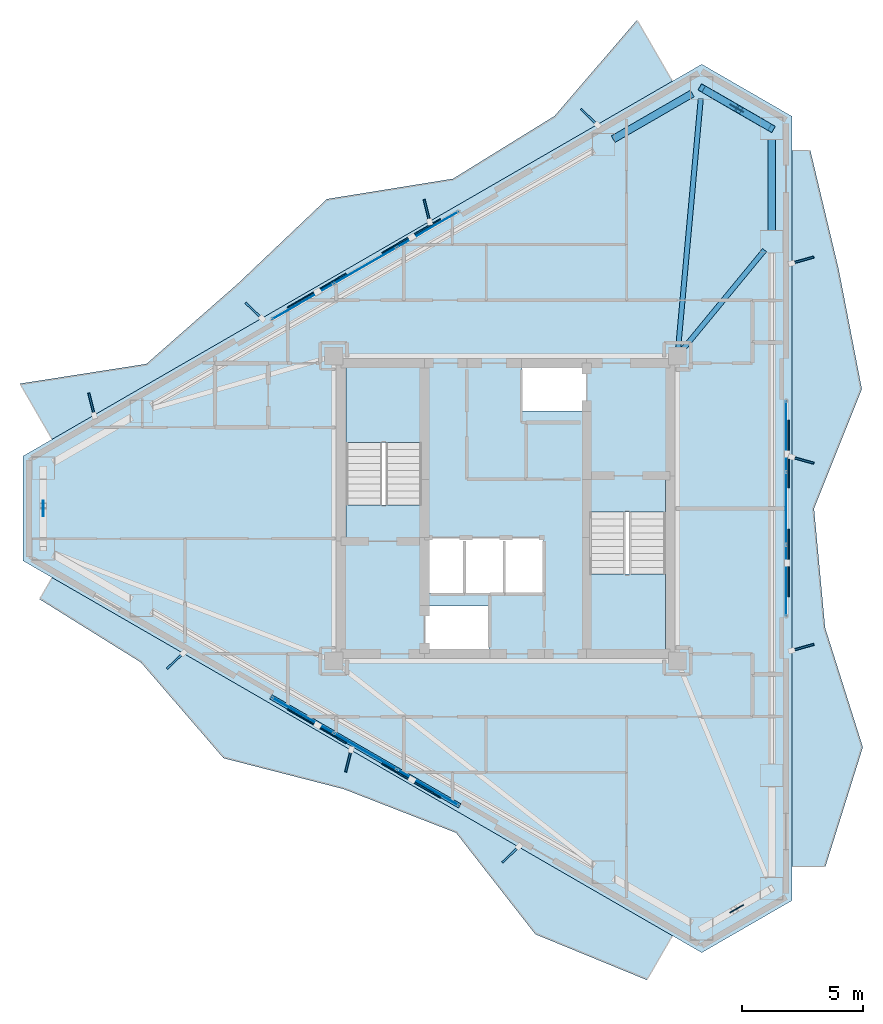
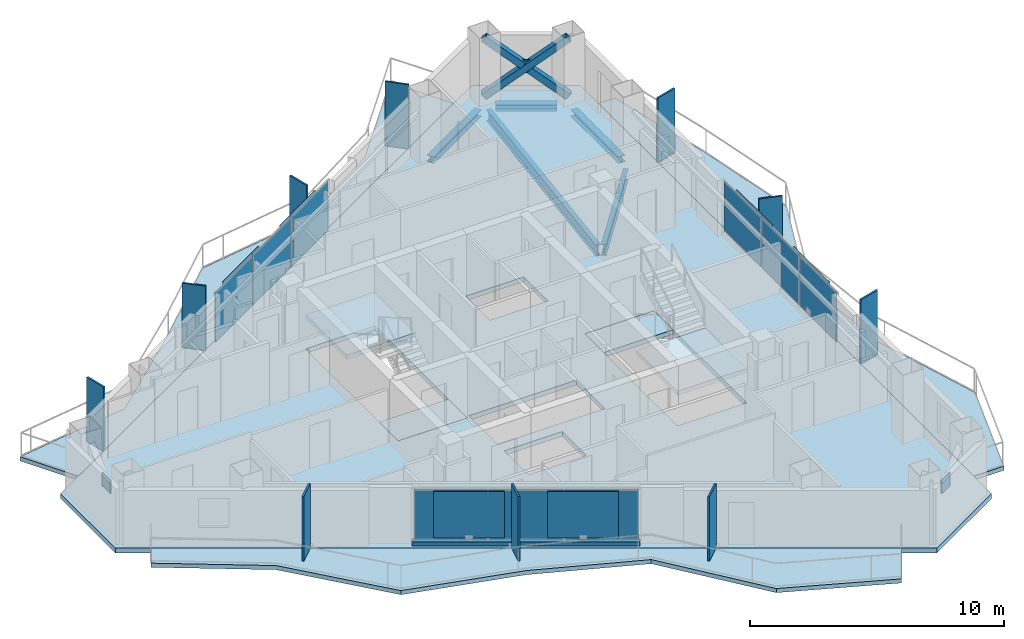
# One storey, part 15 of 21: 28 plates, 8 slabs, 5 beams, 3 members, 1 wall, 5 elements without a shape of their own.
"""IFC4 building model written with IfcOpenShell, lengths in metres."""

from ifc_helpers import new_model, si_unit, direction, frame, frame_2d, origin, origin_2d, place, context, subcontext, project, spatial, polyline, rectangle, hollow_rectangle, i_section, outline, extrude, material, layer, layer_set, material_profile, profile_set, type_object, element, aggregate, save


model = new_model("IFC4")

# Units and contexts
model_context = context("Model", 3, precision=1e-05, world=origin(), true_north=direction((0.0, 1.0)))
body_context = subcontext(model_context, "Body", "Model", "MODEL_VIEW")
ifc_project = project(units=[si_unit("LENGTHUNIT", "METRE"), si_unit("AREAUNIT", "SQUARE_METRE"), si_unit("VOLUMEUNIT", "CUBIC_METRE"), si_unit("PLANEANGLEUNIT", "RADIAN"), si_unit("MASSUNIT", "GRAM", prefix="KILO")], contexts=[model_context])

# Site, building, storey
site_placement = place(None, origin())
site = spatial("IfcSite", under=ifc_project, at=site_placement, CompositionType="ELEMENT")
building_placement = place(site_placement, origin())
building = spatial("IfcBuilding", under=site, at=building_placement, Name="Mersakhor Tower and Convention Hall", CompositionType="ELEMENT")
storey_placement = place(building_placement, frame((0.0, 0.0, 185.39990234375)))
storey = spatial("IfcBuildingStorey", under=building, at=storey_placement, Name="L51", CompositionType="ELEMENT", Elevation=185.39990234375)

# Beams
ifc_material_1 = material(Name="Steel S355", Category="steel")
ifc_material_profile_1 = material_profile(ifc_material_1, i_section(OverallWidth=0.2099609375, OverallDepth=0.53662109375, WebThickness=0.0107421875, FlangeThickness=0.017333984375, at=origin_2d()), Name="UB 533x210x101")
ifc_profile_set_1 = profile_set([ifc_material_profile_1], Name="Steel S355")
beam_type_1 = type_object("IfcBeamType", Name="BM-FB-533", PredefinedType="BEAM", material=ifc_profile_set_1)
beam_1_placement = place(storey_placement, frame((36.132080078125, 33.403564453125, -0.498291015625), z_axis=(0.09035626971, 0.995909506192, 0.0), x_axis=(-0.995909506192, 0.09035626971, 0.0)))
element("IfcBeam", 1, at=beam_1_placement, inside=storey, type_object=beam_type_1, Name="L51 Primary Floor Girder FG-2", PredefinedType="BEAM", context=body_context, shape_type="SweptSolid", body=[
    extrude(i_section(OverallWidth=0.2099609375, OverallDepth=0.53662109375, WebThickness=0.0107421875, FlangeThickness=0.017333984375, at=origin_2d()), origin(), (0.0, 0.0, 1.0), 10.302734375),
])
beam_2_placement = place(storey_placement, frame((36.32568359375, 33.32421875, -0.498291015625), z_axis=(0.635639529599, 0.77198600273, 0.0), x_axis=(-0.77198600273, 0.635639529599, 0.0)))
element("IfcBeam", 2, at=beam_2_placement, inside=storey, type_object=beam_type_1, Name="L51 Primary Floor Girder FG-3", PredefinedType="BEAM", context=body_context, shape_type="SweptSolid", body=[
    extrude(i_section(OverallWidth=0.2099609375, OverallDepth=0.53662109375, WebThickness=0.0107421875, FlangeThickness=0.017333984375, at=origin_2d()), origin(), (0.0, 0.0, 1.0), 5.307373046875),
])
ifc_material_2 = material(Name="Steel S355", Category="steel")
ifc_material_profile_2 = material_profile(ifc_material_2, i_section(OverallWidth=0.30908203125, OverallDepth=0.320556640625, WebThickness=0.013916015625, FlangeThickness=0.021728515625, at=origin_2d()), Name="UC 305x305x137")
ifc_profile_set_2 = profile_set([ifc_material_profile_2], Name="Steel S355")
beam_type_2 = type_object("IfcBeamType", Name="BM-SPD-UC305", PredefinedType="SPANDREL", material=ifc_profile_set_2)
beam_3_placement = place(storey_placement, frame((33.44580078125, 42.005126953125, -0.39013671875), z_axis=(0.866046450459, 0.499963544319, 0.0), x_axis=(-0.499963544319, 0.866046450459, 0.0)))
element("IfcBeam", 3, at=beam_3_placement, inside=storey, type_object=beam_type_2, Name="L51 Perimeter Spandrel Beam SPB-03", PredefinedType="SPANDREL", context=body_context, shape_type="SweptSolid", body=[
    extrude(i_section(OverallWidth=0.30908203125, OverallDepth=0.320556640625, WebThickness=0.013916015625, FlangeThickness=0.021728515625, at=origin_2d()), origin(), (0.0, 0.0, 1.0), 3.769287109375),
])
beam_4_placement = place(storey_placement, frame((37.498046875, 43.8896484375, -0.39013671875), z_axis=(0.86605626798, -0.499946537834, 0.0), x_axis=(0.499946537834, 0.86605626798, 0.0)))
element("IfcBeam", 4, at=beam_4_placement, inside=storey, type_object=beam_type_2, Name="L51 Perimeter Spandrel Beam SPB-04", PredefinedType="SPANDREL", context=body_context, shape_type="SweptSolid", body=[
    extrude(i_section(OverallWidth=0.30908203125, OverallDepth=0.320556640625, WebThickness=0.013916015625, FlangeThickness=0.021728515625, at=origin_2d()), origin(), (0.0, 0.0, 1.0), 2.420654296875),
])
beam_5_placement = place(storey_placement, frame((39.98828125, 41.9970703125, -0.39013671875), z_axis=(0.0, -1.0, 0.0), x_axis=(1.0, 0.0, 0.0)))
element("IfcBeam", 5, at=beam_5_placement, inside=storey, type_object=beam_type_2, Name="L51 Perimeter Spandrel Beam SPB-05", PredefinedType="SPANDREL", context=body_context, shape_type="SweptSolid", body=[
    extrude(i_section(OverallWidth=0.30908203125, OverallDepth=0.320556640625, WebThickness=0.013916015625, FlangeThickness=0.021728515625, at=origin_2d()), origin(), (0.0, 0.0, 1.0), 3.769287109375),
])

# Members
ifc_material_3 = material(Name="Steel S355", Category="steel")
ifc_material_profile_3 = material_profile(ifc_material_3, hollow_rectangle(XDim=0.300048828125, YDim=0.300048828125, WallThickness=0.01611328125, at=origin_2d()), Name="SHS 300x300x16")
ifc_profile_set_3 = profile_set([ifc_material_profile_3], Name="Steel S355")
member_type = type_object("IfcMemberType", Name="MB-BRC-SHS300", PredefinedType="BRACE", material=ifc_profile_set_3)
member_1_placement = place(storey_placement, frame((37.10400390625, 44.1171875, 0.150146484375), z_axis=(0.665824923443, -0.384424564314, 0.639448923429), x_axis=(0.50001011158, 0.866019565782, 0.0)))
element("IfcMember", 6, at=member_1_placement, inside=storey, type_object=member_type, Name="L51 Chamfer Braced Frame Diagonal CB-1A", PredefinedType="BRACE", context=body_context, shape_type="SweptSolid", body=[
    extrude(hollow_rectangle(XDim=0.300048828125, YDim=0.300048828125, WallThickness=0.01611328125, at=origin_2d()), origin(), (0.0, 0.0, 1.0), 4.331787109375),
])
member_2_placement = place(storey_placement, frame((39.98828125, 42.451904296875, 0.150146484375), z_axis=(-0.665763296387, 0.384506307606, 0.639463941592), x_axis=(-0.500124558158, -0.865953478154, 0.0)))
element("IfcMember", 7, at=member_2_placement, inside=storey, type_object=member_type, Name="L51 Chamfer Braced Frame Diagonal CB-1B Lower Half", PredefinedType="BRACE", context=body_context, shape_type="SweptSolid", body=[
    extrude(hollow_rectangle(XDim=0.300048828125, YDim=0.300048828125, WallThickness=0.01611328125, at=origin_2d()), origin(), (0.0, 0.0, 1.0), 2.005126953125),
])
member_3_placement = place(storey_placement, frame((38.439208984375, 43.34619140625, 1.6376953125), z_axis=(-0.665779245823, 0.384445210881, 0.639484069905), x_axis=(-0.50005597947, -0.86599308161, 0.0)))
element("IfcMember", 8, at=member_3_placement, inside=storey, type_object=member_type, Name="L51 Chamfer Braced Frame Diagonal CB-1B Upper Half", PredefinedType="BRACE", context=body_context, shape_type="SweptSolid", body=[
    extrude(hollow_rectangle(XDim=0.300048828125, YDim=0.300048828125, WallThickness=0.01611328125, at=origin_2d()), origin(), (0.0, 0.0, 1.0), 2.00537109375),
])

# Curtain wall, plates
ifc_material_4 = material(Name="Dark solar low-E aluminium curtain wall", Category="aluminium")
ifc_layer_1 = layer(ifc_material_4, 0.169921875)
ifc_layer_set_1 = layer_set([ifc_layer_1], Name="Dark solar low-E aluminium curtain wall")
curtain_wall_type = type_object("IfcCurtainWallType", Name="CW-SYS-02", PredefinedType="USERDEFINED", material=ifc_layer_set_1)
curtain_wall_1_placement = place(storey_placement, origin())
curtain_wall_1 = element("IfcCurtainWall", 9, at=curtain_wall_1_placement, inside=storey, type_object=curtain_wall_type, Name="L51 Dark-Glass Curtain Wall F1-B2", ObjectType="CURTAIN WALL", PredefinedType="USERDEFINED")
ifc_material_5 = material(Name="Dark solar double glazing", Category="glass")
ifc_layer_2 = layer(ifc_material_5, 0.028076171875)
ifc_layer_set_2 = layer_set([ifc_layer_2], Name="Dark solar double glazing")
plate_type_1 = type_object("IfcPlateType", Name="CWP-GLZ-28", PredefinedType="CURTAIN_PANEL", material=ifc_layer_set_2)
plate_1_placement = place(storey_placement, frame((20.624267578125, 35.29541015625, 0.260009765625), z_axis=(0.0, 0.0, 1.0), x_axis=(0.86602088627, 0.500007824483, 0.0)))
plate_1 = element("IfcPlate", 10, at=plate_1_placement, type_object=plate_type_1, Name="CW-02 panel 1.1", PredefinedType="CURTAIN_PANEL", context=body_context, shape_type="SweptSolid", body=[
    extrude(rectangle(XDim=2.88720703125, YDim=0.028076171875, at=origin_2d()), origin(), (0.0, 0.0, 1.0), 2.3701171875),
])
plate_2_placement = place(storey_placement, frame((23.205810546875, 36.785888671875, 0.260009765625), z_axis=(0.0, 0.0, 1.0), x_axis=(0.86602088627, 0.500007824483, 0.0)))
plate_2 = element("IfcPlate", 11, at=plate_2_placement, type_object=plate_type_1, Name="CW-02 panel 2.1", PredefinedType="CURTAIN_PANEL", context=body_context, shape_type="SweptSolid", body=[
    extrude(rectangle(XDim=2.924560546875, YDim=0.028076171875, at=origin_2d()), origin(), (0.0, 0.0, 1.0), 2.3701171875),
])
plate_3_placement = place(storey_placement, frame((25.787353515625, 38.2763671875, 0.260009765625), z_axis=(0.0, 0.0, 1.0), x_axis=(0.86602088627, 0.500007824483, 0.0)))
plate_3 = element("IfcPlate", 12, at=plate_3_placement, type_object=plate_type_1, Name="CW-02 panel 3.1", PredefinedType="CURTAIN_PANEL", context=body_context, shape_type="SweptSolid", body=[
    extrude(rectangle(XDim=2.88720703125, YDim=0.028076171875, at=origin_2d()), origin(), (0.0, 0.0, 1.0), 2.3701171875),
])
aggregate(curtain_wall_1, [plate_1, plate_2, plate_3])

curtain_wall_2_placement = place(storey_placement, origin())
curtain_wall_2 = element("IfcCurtainWall", 13, at=curtain_wall_2_placement, inside=storey, type_object=curtain_wall_type, Name="L51 Dark-Glass Curtain Wall F2-B2", ObjectType="CURTAIN WALL", PredefinedType="USERDEFINED")
plate_4_placement = place(storey_placement, frame((40.58837890625, 29.73095703125, 0.260009765625), z_axis=(0.0, 0.0, 1.0), x_axis=(0.0, -1.0, 0.0)))
plate_4 = element("IfcPlate", 14, at=plate_4_placement, type_object=plate_type_1, Name="CW-02 panel 1.1", PredefinedType="CURTAIN_PANEL", context=body_context, shape_type="SweptSolid", body=[
    extrude(rectangle(XDim=2.88720703125, YDim=0.028076171875, at=origin_2d()), origin(), (0.0, 0.0, 1.0), 2.3701171875),
])
plate_5_placement = place(storey_placement, frame((40.58837890625, 26.75, 0.260009765625), z_axis=(0.0, 0.0, 1.0), x_axis=(0.0, -1.0, 0.0)))
plate_5 = element("IfcPlate", 15, at=plate_5_placement, type_object=plate_type_1, Name="CW-02 panel 2.1", PredefinedType="CURTAIN_PANEL", context=body_context, shape_type="SweptSolid", body=[
    extrude(rectangle(XDim=2.924560546875, YDim=0.028076171875, at=origin_2d()), origin(), (0.0, 0.0, 1.0), 2.3701171875),
])
plate_6_placement = place(storey_placement, frame((40.58837890625, 23.76904296875, 0.260009765625), z_axis=(0.0, 0.0, 1.0), x_axis=(0.0, -1.0, 0.0)))
plate_6 = element("IfcPlate", 16, at=plate_6_placement, type_object=plate_type_1, Name="CW-02 panel 3.1", PredefinedType="CURTAIN_PANEL", context=body_context, shape_type="SweptSolid", body=[
    extrude(rectangle(XDim=2.88720703125, YDim=0.028076171875, at=origin_2d()), origin(), (0.0, 0.0, 1.0), 2.3701171875),
])
aggregate(curtain_wall_2, [plate_4, plate_5, plate_6])

curtain_wall_3_placement = place(storey_placement, origin())
curtain_wall_3 = element("IfcCurtainWall", 17, at=curtain_wall_3_placement, inside=storey, type_object=curtain_wall_type, Name="L51 Dark-Glass Curtain Wall F3-B2", ObjectType="CURTAIN WALL", PredefinedType="USERDEFINED")
plate_7_placement = place(storey_placement, frame((25.787353515625, 15.2236328125, 0.260009765625), z_axis=(0.0, 0.0, 1.0), x_axis=(-0.86602088627, 0.500007824483, 0.0)))
plate_7 = element("IfcPlate", 18, at=plate_7_placement, type_object=plate_type_1, Name="CW-02 panel 1.1", PredefinedType="CURTAIN_PANEL", context=body_context, shape_type="SweptSolid", body=[
    extrude(rectangle(XDim=2.88720703125, YDim=0.028076171875, at=origin_2d()), origin(), (0.0, 0.0, 1.0), 2.3701171875),
])
plate_8_placement = place(storey_placement, frame((23.205810546875, 16.714111328125, 0.260009765625), z_axis=(0.0, 0.0, 1.0), x_axis=(-0.86602088627, 0.500007824483, 0.0)))
plate_8 = element("IfcPlate", 19, at=plate_8_placement, type_object=plate_type_1, Name="CW-02 panel 2.1", PredefinedType="CURTAIN_PANEL", context=body_context, shape_type="SweptSolid", body=[
    extrude(rectangle(XDim=2.924560546875, YDim=0.028076171875, at=origin_2d()), origin(), (0.0, 0.0, 1.0), 2.3701171875),
])
plate_9_placement = place(storey_placement, frame((20.624267578125, 18.20458984375, 0.260009765625), z_axis=(0.0, 0.0, 1.0), x_axis=(-0.86602088627, 0.500007824483, 0.0)))
plate_9 = element("IfcPlate", 20, at=plate_9_placement, type_object=plate_type_1, Name="CW-02 panel 3.1", PredefinedType="CURTAIN_PANEL", context=body_context, shape_type="SweptSolid", body=[
    extrude(rectangle(XDim=2.88720703125, YDim=0.028076171875, at=origin_2d()), origin(), (0.0, 0.0, 1.0), 2.3701171875),
])
aggregate(curtain_wall_3, [plate_7, plate_8, plate_9])

# Plates
ifc_material_6 = material(Name="Ceramic-clad aluminium Zone 4 terracotta-coral", Category="masonry")
ifc_material_7 = material(Name="Ceramic-clad aluminium Zone 1 cobalt-slate", Category="masonry")
ifc_layer_3 = layer(ifc_material_7, 0.080078125)
ifc_layer_set_3 = layer_set([ifc_layer_3], Name="Ceramic-clad aluminium Zone 1 cobalt-slate")
plate_type_2 = type_object("IfcPlateType", Name="PL-FIN-80", PredefinedType="USERDEFINED", material=ifc_layer_set_3)
for number, where, z_axis, x_axis, name in (
    (21, (11.897216796875, 31.049560546875, 0.0), (0.0, 0.0, 1.0), (-0.2419218956, 0.970295726276, 0.0), "L51 Zone 4 Coloured Brise-Soleil Fin F1-1"),
    (22, (18.598388671875, 34.918701171875, 0.0), (0.0, 0.0, 1.0), (-0.719339800339, 0.694658370459, 0.0), "L51 Zone 4 Coloured Brise-Soleil Fin F1-2"),
    (23, (25.75341796875, 39.049560546875, 0.0), (0.0, 0.0, 1.0), (-0.2419218956, 0.970295726276, 0.0), "L51 Zone 4 Coloured Brise-Soleil Fin F1-3"),
    (24, (32.454833984375, 42.918701171875, 0.0), (0.0, 0.0, 1.0), (-0.719339800339, 0.694658370459, 0.0), "L51 Zone 4 Coloured Brise-Soleil Fin F1-4"),
    (25, (41.27490234375, 37.007080078125, 0.0), (0.0, 0.0, 1.0), (0.961261695938, 0.275637355817, 0.0), "L51 Zone 4 Coloured Brise-Soleil Fin F2-1"),
    (26, (41.27490234375, 28.7451171875, 0.0), (0.0, 0.0, 1.0), (0.961261695938, -0.275637355817, 0.0), "L51 Zone 4 Coloured Brise-Soleil Fin F2-2"),
    (27, (41.27490234375, 21.007080078125, 0.0), (0.0, 0.0, 1.0), (0.961261695938, 0.275637355817, 0.0), "L51 Zone 4 Coloured Brise-Soleil Fin F2-3"),
    (28, (29.208984375, 12.455322265625, 0.0), (0.0, 0.0, 1.0), (-0.719339800339, -0.694658370459, 0.0), "L51 Zone 4 Coloured Brise-Soleil Fin F3-1"),
    (29, (22.5078125, 16.324462890625, 0.0), (0.0, 0.0, 1.0), (-0.2419218956, -0.970295726276, 0.0), "L51 Zone 4 Coloured Brise-Soleil Fin F3-2"),
    (30, (15.352783203125, 20.455322265625, 0.0), (0.0, 0.0, 1.0), (-0.719339800339, -0.694658370459, 0.0), "L51 Zone 4 Coloured Brise-Soleil Fin F3-3"),
):
    element("IfcPlate", number, at=place(storey_placement, frame(where, z_axis=z_axis, x_axis=x_axis)), inside=storey, type_object=plate_type_2, material=ifc_material_6, Name=name, ObjectType="FIN", PredefinedType="USERDEFINED", context=body_context, shape_type="SweptSolid", body=[
        extrude(rectangle(XDim=0.949951171875, YDim=0.080078125, at=origin_2d()), origin(), (0.0, 0.0, 1.0), 3.10009765625),
    ])
ifc_material_8 = material(Name="Steel S460", Category="steel")
ifc_layer_4 = layer(ifc_material_8, 0.0400390625)
ifc_layer_set_4 = layer_set([ifc_layer_4], Name="Steel S460")
plate_type_3 = type_object("IfcPlateType", Name="PL-GUSSET-40", PredefinedType="SHEET", material=ifc_layer_set_4)
for number, where, z_axis, x_axis, name in (
    (31, (38.54638671875, 43.28466796875, 1.21533203125), (0.0, 0.0, 1.0), (-0.866025403784, 0.5, 0.0), "L51 X-Brace Crossing Gusset Node Plate"),
    (32, (38.54638671875, 10.21533203125, 1.21533203125), (0.0, 0.0, 1.0), (0.866025403784, 0.5, 0.0), "L51 X-Brace Crossing Gusset Node Plate"),
    (33, (9.907470703125, 26.75, 1.21533203125), (0.0, 0.0, 1.0), (0.0, -1.0, 0.0), "L51 X-Brace Crossing Gusset Node Plate"),
):
    element("IfcPlate", number, at=place(storey_placement, frame(where, z_axis=z_axis, x_axis=x_axis)), inside=storey, type_object=plate_type_3, Name=name, PredefinedType="SHEET", context=body_context, shape_type="SweptSolid", body=[
        extrude(rectangle(XDim=0.639892578125, YDim=0.0400390625, at=origin_2d()), origin(), (0.0, 0.0, 1.0), 0.639892578125),
    ])
ifc_material_9 = material(Name="Perforated ceramic cobogo solar screen", Category="aluminium")
ifc_layer_5 = layer(ifc_material_9, 0.055908203125)
ifc_layer_set_5 = layer_set([ifc_layer_5], Name="Perforated ceramic cobogo solar screen")
plate_type_4 = type_object("IfcPlateType", Name="PL-SCR-56", PredefinedType="USERDEFINED", material=ifc_layer_set_5)
for number, where, z_axis, x_axis, name in (
    (34, (21.20849609375, 35.745849609375, 0.39990234375), (0.0, 0.0, 1.0), (0.866025403784, 0.5, 0.0), "L51 Perforated Ceramic Solar Screen F1-1"),
    (35, (25.10498046875, 37.99560546875, 0.39990234375), (0.0, 0.0, 1.0), (0.866025403784, 0.5, 0.0), "L51 Perforated Ceramic Solar Screen F1-2"),
    (36, (40.686279296875, 28.999755859375, 0.39990234375), (0.0, 0.0, 1.0), (0.0, -1.0, 0.0), "L51 Perforated Ceramic Solar Screen F2-1"),
    (37, (40.686279296875, 24.500244140625, 0.39990234375), (0.0, 0.0, 1.0), (0.0, -1.0, 0.0), "L51 Perforated Ceramic Solar Screen F2-2"),
    (38, (25.10498046875, 15.50439453125, 0.39990234375), (0.0, 0.0, 1.0), (-0.866025403784, 0.5, 0.0), "L51 Perforated Ceramic Solar Screen F3-1"),
    (39, (21.20849609375, 17.754150390625, 0.39990234375), (0.0, 0.0, 1.0), (-0.866025403784, 0.5, 0.0), "L51 Perforated Ceramic Solar Screen F3-2"),
):
    element("IfcPlate", number, at=place(storey_placement, frame(where, z_axis=z_axis, x_axis=x_axis)), inside=storey, type_object=plate_type_4, Name=name, ObjectType="SCREEN", PredefinedType="USERDEFINED", context=body_context, shape_type="SweptSolid", body=[
        extrude(rectangle(XDim=2.800048828125, YDim=0.055908203125, at=origin_2d()), origin(), (0.0, 0.0, 1.0), 2.239990234375),
    ])

# Slabs
ifc_material_10 = material(Name="Concrete C45/55", Category="concrete")
ifc_layer_6 = layer(ifc_material_10, 0.199951171875)
ifc_layer_set_6 = layer_set([ifc_layer_6], Name="Concrete C45/55")
slab_type_1 = type_object("IfcSlabType", Name="SL-BAL-200", PredefinedType="FLOOR", material=ifc_layer_set_6)
slab_1_placement = place(storey_placement, frame((0.0, 0.0, -0.199951171875)))
element("IfcSlab", 40, at=slab_1_placement, inside=storey, type_object=slab_type_1, Name="L51 Sinusoidal Balcony Slab Face 1", PredefinedType="FLOOR", context=body_context, shape_type="SweptSolid", body=[
    extrude(outline(polyline([(10.27001953125, 29.60595703125), (35.8916015625, 44.398681640625), (34.431640625, 46.927490234375), (31.0263671875, 42.9638671875), (26.830078125, 40.370361328125), (21.620849609375, 39.531005859375), (17.943359375, 36.038818359375), (14.165283203125, 32.720947265625), (8.942138671875, 31.90576171875), (10.27001953125, 29.60595703125)])), origin(), (0.0, 0.0, 1.0), 0.199951171875),
])
slab_2_placement = place(storey_placement, frame((0.0, 0.0, -0.199951171875)))
element("IfcSlab", 41, at=slab_2_placement, inside=storey, type_object=slab_type_1, Name="L51 Sinusoidal Balcony Slab Face 2", PredefinedType="FLOOR", context=body_context, shape_type="SweptSolid", body=[
    extrude(outline(polyline([(40.83837890625, 41.542724609375), (40.83837890625, 11.957275390625), (42.211181640625, 11.957275390625), (43.75830078125, 16.88818359375), (42.200439453125, 21.819091796875), (41.741455078125, 26.75), (43.717529296875, 31.680908203125), (42.763671875, 36.61181640625), (41.58837890625, 41.542724609375), (40.83837890625, 41.542724609375)])), origin(), (0.0, 0.0, 1.0), 0.199951171875),
])
slab_3_placement = place(storey_placement, frame((0.0, 0.0, -0.199951171875)))
element("IfcSlab", 42, at=slab_3_placement, inside=storey, type_object=slab_type_1, Name="L51 Sinusoidal Balcony Slab Face 3", PredefinedType="FLOOR", context=body_context, shape_type="SweptSolid", body=[
    extrude(outline(polyline([(35.8916015625, 9.101318359375), (10.27001953125, 23.89404296875), (9.75341796875, 22.999267578125), (13.940185546875, 20.389404296875), (17.3505859375, 16.434326171875), (22.308349609375, 15.15966796875), (26.957763671875, 13.35107421875), (30.231689453125, 9.159423828125), (34.835205078125, 7.271240234375), (35.8916015625, 9.101318359375)])), origin(), (0.0, 0.0, 1.0), 0.199951171875),
])
ifc_material_11 = material(Name="Concrete C40/50", Category="concrete")
ifc_layer_7 = layer(ifc_material_11, 0.22998046875)
ifc_layer_set_7 = layer_set([ifc_layer_7], Name="Concrete C40/50")
slab_type_2 = type_object("IfcSlabType", Name="SL-FLR-230", PredefinedType="FLOOR", material=ifc_layer_set_7)
slab_4_placement = place(storey_placement, frame((0.0, 0.0, -0.22998046875)))
element("IfcSlab", 43, at=slab_4_placement, inside=storey, type_object=slab_type_2, Name="L51 ST-1 Structural Stair Floor Landing", PredefinedType="LANDING", context=body_context, shape_type="SweptSolid", body=[
    extrude(outline(polyline([(25.550048828125, 25.39990234375), (25.550048828125, 26.89990234375), (22.39990234375, 26.89990234375), (22.39990234375, 25.39990234375), (25.550048828125, 25.39990234375)])), origin(), (0.0, 0.0, 1.0), 0.22998046875),
])
slab_5_placement = place(storey_placement, frame((0.0, 0.0, -0.22998046875)))
element("IfcSlab", 44, at=slab_5_placement, inside=storey, type_object=slab_type_2, Name="L51 ST-2 Structural Stair Floor Landing", PredefinedType="LANDING", context=body_context, shape_type="SweptSolid", body=[
    extrude(outline(polyline([(32.449951171875, 28.10009765625), (32.449951171875, 26.60009765625), (35.60009765625, 26.60009765625), (35.60009765625, 28.10009765625), (32.449951171875, 28.10009765625)])), origin(), (0.0, 0.0, 1.0), 0.22998046875),
])
slab_6_placement = place(storey_placement, frame((0.0, 0.0, -0.22998046875)))
element("IfcSlab", 45, at=slab_6_placement, inside=storey, type_object=slab_type_2, Name="Tower L51 Structural Floor Slab", PredefinedType="FLOOR", context=body_context, shape_type="SweptSolid", body=[
    extrude(outline(polyline([(9.0576171875, 28.906005859375), (37.10400390625, 45.0986328125), (40.83837890625, 42.942626953125), (40.83837890625, 10.557373046875), (37.10400390625, 8.4013671875), (9.0576171875, 24.593994140625), (9.0576171875, 28.906005859375)]), holes=[polyline([(25.550048828125, 25.39990234375), (25.550048828125, 32.699951171875), (22.39990234375, 32.699951171875), (22.39990234375, 25.39990234375), (25.550048828125, 25.39990234375)]), polyline([(32.449951171875, 28.10009765625), (32.449951171875, 20.800048828125), (35.60009765625, 20.800048828125), (35.60009765625, 28.10009765625), (32.449951171875, 28.10009765625)]), polyline([(25.679931640625, 20.820068359375), (25.679931640625, 22.719970703125), (28.320068359375, 22.719970703125), (28.320068359375, 20.820068359375), (25.679931640625, 20.820068359375)]), polyline([(29.679931640625, 30.780029296875), (29.679931640625, 32.679931640625), (32.320068359375, 32.679931640625), (32.320068359375, 30.780029296875), (29.679931640625, 30.780029296875)]), polyline([(25.679931640625, 23.25), (25.679931640625, 25.5), (30.570068359375, 25.5), (30.570068359375, 23.25), (25.679931640625, 23.25)])]), origin(), (0.0, 0.0, 1.0), 0.22998046875),
])

# Stair, slab
ifc_material_12 = material(Name="Concrete C45/55", Category="concrete")
stair_type = type_object("IfcStairType", Name="ST-TWR-20R", PredefinedType="HALF_TURN_STAIR", material=ifc_material_12)
stair_1_placement = place(storey_placement, origin())
stair_1 = element("IfcStair", 46, at=stair_1_placement, inside=storey, type_object=stair_type, Name="L51 Tower Protected Exit Stair ST-1", PredefinedType="HALF_TURN_STAIR")
ifc_material_13 = material(Name="Concrete C45/55", Category="concrete")
ifc_layer_8 = layer(ifc_material_13, 0.199951171875)
ifc_layer_set_8 = layer_set([ifc_layer_8], Name="Concrete C45/55")
slab_type_3 = type_object("IfcSlabType", Name="SL-LAND-200", PredefinedType="LANDING", material=ifc_layer_set_8)
slab_7_placement = place(storey_placement, frame((0.0, 0.0, 1.4501953125)))
slab_7 = element("IfcSlab", 47, at=slab_7_placement, type_object=slab_type_3, Name="ST-1 landing 1", PredefinedType="LANDING", context=body_context, shape_type="SweptSolid", body=[
    extrude(outline(polyline([(25.550048828125, 29.465087890625), (25.550048828125, 32.699951171875), (22.39990234375, 32.699951171875), (22.39990234375, 29.465087890625), (25.550048828125, 29.465087890625)])), origin(), (0.0, 0.0, 1.0), 0.199951171875),
])
aggregate(stair_1, [slab_7])

stair_2_placement = place(storey_placement, origin())
stair_2 = element("IfcStair", 48, at=stair_2_placement, inside=storey, type_object=stair_type, Name="L51 Tower Protected Exit Stair ST-2", PredefinedType="HALF_TURN_STAIR")
slab_8_placement = place(storey_placement, frame((0.0, 0.0, 1.4501953125)))
slab_8 = element("IfcSlab", 49, at=slab_8_placement, type_object=slab_type_3, Name="ST-2 landing 1", PredefinedType="LANDING", context=body_context, shape_type="SweptSolid", body=[
    extrude(outline(polyline([(32.449951171875, 24.034912109375), (32.449951171875, 20.800048828125), (35.60009765625, 20.800048828125), (35.60009765625, 24.034912109375), (32.449951171875, 24.034912109375)])), origin(), (0.0, 0.0, 1.0), 0.199951171875),
])
aggregate(stair_2, [slab_8])

# Wall
ifc_material_14 = material(Name="Precast concrete C40/50", Category="concrete")
ifc_layer_9 = layer(ifc_material_14, 0.199951171875)
ifc_layer_set_9 = layer_set([ifc_layer_9], Name="Precast concrete C40/50")
wall_type = type_object("IfcWallType", Name="WL-PAR-200", PredefinedType="PARAPET", material=ifc_layer_set_9)
wall_placement = place(storey_placement, frame((27.102294921875, 14.46435546875, 0.0), z_axis=(0.0, 0.0, 1.0), x_axis=(-0.866020680503, 0.500008180874, 0.0)))
element("IfcWall", 50, at=wall_placement, inside=storey, type_object=wall_type, Name="L51 Curtain Wall Upstand Sill F3-B2", PredefinedType="PARAPET", context=body_context, shape_type="SweptSolid", body=[
    extrude(rectangle(XDim=8.998779296875, YDim=0.199951171875, at=frame_2d((4.49951171875, 0.0))), origin(), (0.0, 0.0, 1.0), 0.2001953125),
])

save(model, "model.ifc")
